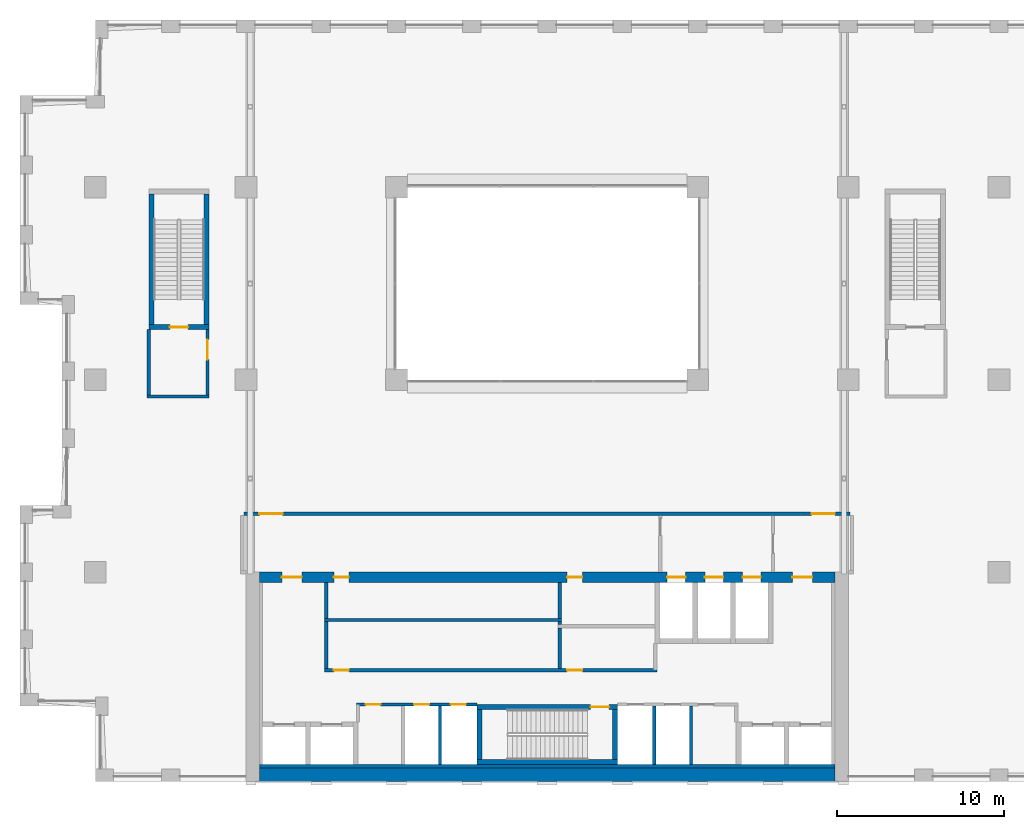
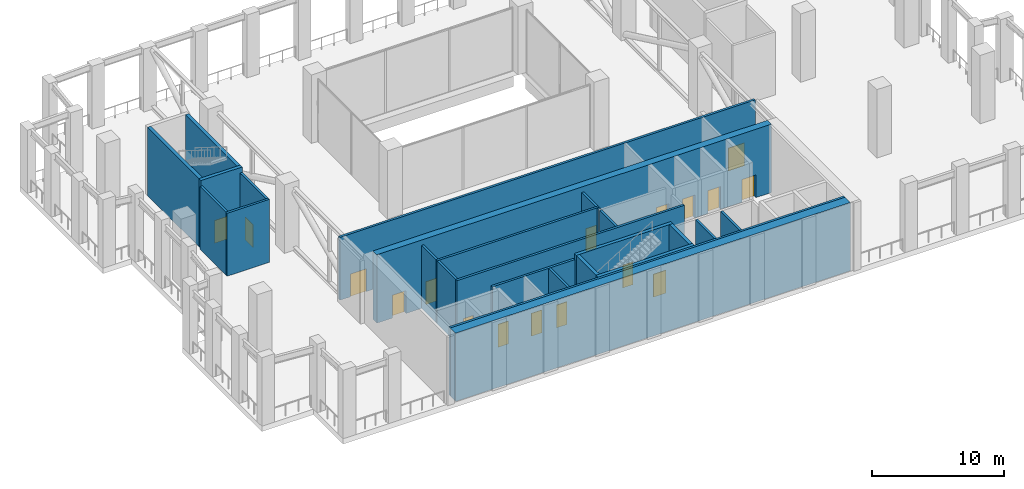
# One storey, part 10 of 14: 25 walls, 17 doors, 17 openings.
"""IFC4 building model written with IfcOpenShell, lengths in metres."""

from ifc_helpers import new_model, si_unit, direction, frame, frame_2d, origin, place, context, subcontext, project, spatial, rectangle, extrude, material, layer, layer_set, type_object, element, fill, save


model = new_model("IFC4")

# Units and contexts
model_context = context("Model", 3, precision=1e-05, world=origin(), true_north=direction((0.0, 1.0)))
body_context = subcontext(model_context, "Body", "Model", "MODEL_VIEW")
ifc_project = project(units=[si_unit("LENGTHUNIT", "METRE"), si_unit("AREAUNIT", "SQUARE_METRE"), si_unit("VOLUMEUNIT", "CUBIC_METRE"), si_unit("PLANEANGLEUNIT", "RADIAN"), si_unit("MASSUNIT", "GRAM", prefix="KILO")], contexts=[model_context])

# Site, building, storey
site_placement = place(None, origin())
site = spatial("IfcSite", under=ifc_project, at=site_placement, CompositionType="ELEMENT")
building_placement = place(site_placement, origin())
building = spatial("IfcBuilding", under=site, at=building_placement, Name="Brigalow Station Residences", CompositionType="ELEMENT")
storey_placement = place(building_placement, frame((0.0, 0.0, 130.800048828125)))
storey = spatial("IfcBuildingStorey", under=building, at=storey_placement, Name="L38", CompositionType="ELEMENT", Elevation=130.800048828125)

# Walls
ifc_material_1 = material(Name="Concrete C65", Category="concrete")
ifc_layer_1 = layer(ifc_material_1, 0.199951171875)
ifc_layer_set_1 = layer_set([ifc_layer_1], Name="CORE SHEAR WALL 200 C65")
wall_type_1 = type_object("IfcWallType", Name="CORE SHEAR WALL 200 C65", PredefinedType="SHEAR", material=ifc_layer_set_1)
wall_1_placement = place(storey_placement, frame((18.800048828125, 0.89990234375, 0.0), z_axis=(0.0, 0.0, 1.0), x_axis=(1.0, 0.0, 0.0)))
element("IfcWall", 1, at=wall_1_placement, inside=storey, type_object=wall_type_1, Name="CORE WALL LIN-S L38", PredefinedType="SHEAR", context=body_context, shape_type="SweptSolid", body=[
    extrude(rectangle(XDim=34.39990234375, YDim=0.199951171875, at=frame_2d((17.199951171875, 0.0))), origin(), (0.0, 0.0, 1.0), 6.300048828125),
])
ifc_material_2 = material(Name="Concrete C65", Category="concrete")
ifc_layer_2 = layer(ifc_material_2, 0.300048828125)
ifc_layer_set_2 = layer_set([ifc_layer_2], Name="CORE SHEAR WALL 300 C65")
wall_type_2 = type_object("IfcWallType", Name="CORE SHEAR WALL 300 C65", PredefinedType="SHEAR", material=ifc_layer_set_2)
wall_2_placement = place(storey_placement, frame((31.800048828125, 1.14990234375, 0.0), z_axis=(0.0, 0.0, 1.0), x_axis=(1.0, 0.0, 0.0)))
element("IfcWall", 2, at=wall_2_placement, inside=storey, type_object=wall_type_2, Name="CORE WALL ST-S2-S L38", PredefinedType="SHEAR", context=body_context, shape_type="SweptSolid", body=[
    extrude(rectangle(XDim=8.39990234375, YDim=0.300048828125, at=frame_2d((4.199951171875, 0.0))), origin(), (0.0, 0.0, 1.0), 6.300048828125),
])

# Wall, opening, door
wall_3_placement = place(storey_placement, frame((31.800048828125, 4.449951171875, 0.0), z_axis=(0.0, 0.0, 1.0), x_axis=(1.0, 0.0, 0.0)))
wall_3 = element("IfcWall", 3, at=wall_3_placement, inside=storey, type_object=wall_type_2, Name="CORE WALL ST-S2-N L38", PredefinedType="SHEAR", context=body_context, shape_type="SweptSolid", body=[
    extrude(rectangle(XDim=8.39990234375, YDim=0.300048828125, at=frame_2d((4.199951171875, 0.0))), origin(), (0.0, 0.0, 1.0), 6.300048828125),
])
opening_1_placement = place(wall_3_placement, frame((6.800048828125, 0.0, 0.0)))
opening_1 = element("IfcOpeningElement", 4, at=opening_1_placement, cuts=wall_3, Name="Opening D-5001", PredefinedType="OPENING", context=body_context, shape_type="SweptSolid", body=[
    extrude(rectangle(XDim=1.10009765625, YDim=2.10009765625, at=frame_2d((0.550048828125, 1.050048828125))), frame((0.0, 0.16015625, 0.0), z_axis=(0.0, -1.0, 0.0), x_axis=(1.0, 0.0, 0.0)), (0.0, 0.0, 1.0), 0.320068359375),
])
ifc_material_3 = material(Name="Steel fire door leaf in steel frame", Category="steel")
door_type_1 = type_object("IfcDoorType", Name="STAIR DOOR 1100 x 2100 FD60S", OperationType="SINGLE_SWING_LEFT", PredefinedType="DOOR", material=ifc_material_3)
door_1_placement = place(opening_1_placement, frame((1.10009765625, 0.0, 0.0), z_axis=(0.0, 0.0, 1.0), x_axis=(-1.0, 0.0, 0.0)))
door_1 = element("IfcDoor", 5, at=door_1_placement, inside=storey, type_object=door_type_1, Name="D-5001", OperationType="SINGLE_SWING_LEFT", OverallHeight=2.10009765625, OverallWidth=1.10009765625, PredefinedType="DOOR", context=body_context, shape_type="SweptSolid", body=[
    extrude(rectangle(XDim=1.10009765625, YDim=2.10009765625, at=frame_2d((0.550048828125, 1.050048828125))), frame((0.0, 0.02490234375, 0.0), z_axis=(0.0, -1.0, 0.0), x_axis=(1.0, 0.0, 0.0)), (0.0, 0.0, 1.0), 0.050048828125),
])
fill(opening_1, door_1)

# Walls
for number, where, z_axis, x_axis, name in (
    (6, (31.949951171875, 1.300048828125, 0.0), (0.0, 0.0, 1.0), (0.0, 1.0, 0.0), "CORE WALL ST-S2-W L38"),
    (7, (40.050048828125, 1.300048828125, 0.0), (0.0, 0.0, 1.0), (0.0, 1.0, 0.0), "CORE WALL ST-S2-E L38"),
):
    element("IfcWall", number, at=place(storey_placement, frame(where, z_axis=z_axis, x_axis=x_axis)), inside=storey, type_object=wall_type_2, Name=name, PredefinedType="SHEAR", context=body_context, shape_type="SweptSolid", body=[
        extrude(rectangle(XDim=3.0, YDim=0.300048828125, at=frame_2d((1.5, 0.0))), origin(), (0.0, 0.0, 1.0), 6.300048828125),
    ])

# Wall, opening, door
wall_4_placement = place(storey_placement, frame((12.199951171875, 27.14990234375, 0.0), z_axis=(0.0, 0.0, 1.0), x_axis=(1.0, 0.0, 0.0)))
wall_4 = element("IfcWall", 8, at=wall_4_placement, inside=storey, type_object=wall_type_2, Name="CORE WALL ST-S1-S L38", PredefinedType="SHEAR", context=body_context, shape_type="SweptSolid", body=[
    extrude(rectangle(XDim=3.60009765625, YDim=0.300048828125, at=frame_2d((1.800048828125, 0.0))), origin(), (0.0, 0.0, 1.0), 6.300048828125),
])
opening_2_placement = place(wall_4_placement, frame((1.25, 0.0, 0.0)))
opening_2 = element("IfcOpeningElement", 9, at=opening_2_placement, cuts=wall_4, Name="Opening D-5015", PredefinedType="OPENING", context=body_context, shape_type="SweptSolid", body=[
    extrude(rectangle(XDim=1.10009765625, YDim=2.10009765625, at=frame_2d((0.550048828125, 1.050048828125))), frame((0.0, 0.16015625, 0.0), z_axis=(0.0, -1.0, 0.0), x_axis=(1.0, 0.0, 0.0)), (0.0, 0.0, 1.0), 0.320068359375),
])
door_2_placement = place(opening_2_placement, origin())
door_2 = element("IfcDoor", 10, at=door_2_placement, inside=storey, type_object=door_type_1, Name="D-5015", OperationType="SINGLE_SWING_LEFT", OverallHeight=2.10009765625, OverallWidth=1.10009765625, PredefinedType="DOOR", context=body_context, shape_type="SweptSolid", body=[
    extrude(rectangle(XDim=1.10009765625, YDim=2.10009765625, at=frame_2d((0.550048828125, 1.050048828125))), frame((0.0, 0.02490234375, 0.0), z_axis=(0.0, -1.0, 0.0), x_axis=(1.0, 0.0, 0.0)), (0.0, 0.0, 1.0), 0.050048828125),
])
fill(opening_2, door_2)

# Walls
for number, where, z_axis, x_axis, name in (
    (11, (12.35009765625, 27.300048828125, 0.0), (0.0, 0.0, 1.0), (0.0, 1.0, 0.0), "CORE WALL ST-S1-W L38"),
    (12, (15.64990234375, 27.300048828125, 0.0), (0.0, 0.0, 1.0), (0.0, 1.0, 0.0), "CORE WALL ST-S1-E L38"),
):
    element("IfcWall", number, at=place(storey_placement, frame(where, z_axis=z_axis, x_axis=x_axis)), inside=storey, type_object=wall_type_2, Name=name, PredefinedType="SHEAR", context=body_context, shape_type="SweptSolid", body=[
        extrude(rectangle(XDim=7.800048828125, YDim=0.300048828125, at=frame_2d((3.89990234375, 0.0))), origin(), (0.0, 0.0, 1.0), 6.300048828125),
    ])

# Wall, openings, doors
ifc_material_4 = material(Name="Concrete C65", Category="concrete")
ifc_layer_3 = layer(ifc_material_4, 0.60009765625)
ifc_layer_set_3 = layer_set([ifc_layer_3], Name="CORE SHEAR WALL 600 C65")
wall_type_3 = type_object("IfcWallType", Name="CORE SHEAR WALL 600 C65", PredefinedType="SHEAR", material=ifc_layer_set_3)
wall_5_placement = place(storey_placement, frame((18.800048828125, 12.199951171875, 0.0), z_axis=(0.0, 0.0, 1.0), x_axis=(1.0, 0.0, 0.0)))
wall_5 = element("IfcWall", 13, at=wall_5_placement, inside=storey, type_object=wall_type_3, Name="CORE WALL OUT-N L38", PredefinedType="SHEAR", context=body_context, shape_type="SweptSolid", body=[
    extrude(rectangle(XDim=34.39990234375, YDim=0.60009765625, at=frame_2d((17.199951171875, 0.0))), origin(), (0.0, 0.0, 1.0), 6.300048828125),
])
opening_3_placement = place(wall_5_placement, frame((24.375, 0.0, 0.0)))
opening_3 = element("IfcOpeningElement", 14, at=opening_3_placement, cuts=wall_5, Name="Opening LD-LF1", PredefinedType="OPENING", context=body_context, shape_type="SweptSolid", body=[
    extrude(rectangle(XDim=1.10009765625, YDim=2.10009765625, at=frame_2d((0.550048828125, 1.050048828125))), frame((0.0, 0.31005859375, 0.0), z_axis=(0.0, -1.0, 0.0), x_axis=(1.0, 0.0, 0.0)), (0.0, 0.0, 1.0), 0.6201171875),
])
opening_4_placement = place(wall_5_placement, frame((26.625, 0.0, 0.0)))
opening_4 = element("IfcOpeningElement", 15, at=opening_4_placement, cuts=wall_5, Name="Opening LD-LF2", PredefinedType="OPENING", context=body_context, shape_type="SweptSolid", body=[
    extrude(rectangle(XDim=1.10009765625, YDim=2.10009765625, at=frame_2d((0.550048828125, 1.050048828125))), frame((0.0, 0.31005859375, 0.0), z_axis=(0.0, -1.0, 0.0), x_axis=(1.0, 0.0, 0.0)), (0.0, 0.0, 1.0), 0.6201171875),
])
opening_5_placement = place(wall_5_placement, frame((28.875, 0.0, 0.0)))
opening_5 = element("IfcOpeningElement", 16, at=opening_5_placement, cuts=wall_5, Name="Opening LD-LG1", PredefinedType="OPENING", context=body_context, shape_type="SweptSolid", body=[
    extrude(rectangle(XDim=1.10009765625, YDim=2.10009765625, at=frame_2d((0.550048828125, 1.050048828125))), frame((0.0, 0.31005859375, 0.0), z_axis=(0.0, -1.0, 0.0), x_axis=(1.0, 0.0, 0.0)), (0.0, 0.0, 1.0), 0.6201171875),
])
opening_6_placement = place(wall_5_placement, frame((18.39990234375, 0.0, 0.0)))
opening_6 = element("IfcOpeningElement", 17, at=opening_6_placement, cuts=wall_5, Name="Opening D-5126", PredefinedType="OPENING", context=body_context, shape_type="SweptSolid", body=[
    extrude(rectangle(XDim=0.89990234375, YDim=2.10009765625, at=frame_2d((0.449951171875, 1.050048828125))), frame((0.0, 0.31005859375, 0.0), z_axis=(0.0, -1.0, 0.0), x_axis=(1.0, 0.0, 0.0)), (0.0, 0.0, 1.0), 0.6201171875),
])
opening_7_placement = place(wall_5_placement, frame((4.449951171875, 0.0, 0.0)))
opening_7 = element("IfcOpeningElement", 18, at=opening_7_placement, cuts=wall_5, Name="Opening D-5127", PredefinedType="OPENING", context=body_context, shape_type="SweptSolid", body=[
    extrude(rectangle(XDim=0.89990234375, YDim=2.10009765625, at=frame_2d((0.449951171875, 1.050048828125))), frame((0.0, 0.31005859375, 0.0), z_axis=(0.0, -1.0, 0.0), x_axis=(1.0, 0.0, 0.0)), (0.0, 0.0, 1.0), 0.6201171875),
])
opening_8_placement = place(wall_5_placement, frame((1.35009765625, 0.0, 0.0)))
opening_8 = element("IfcOpeningElement", 19, at=opening_8_placement, cuts=wall_5, Name="Opening D-5011", PredefinedType="OPENING", context=body_context, shape_type="SweptSolid", body=[
    extrude(rectangle(XDim=1.199951171875, YDim=2.10009765625, at=frame_2d((0.60009765625, 1.050048828125))), frame((0.0, 0.31005859375, 0.0), z_axis=(0.0, -1.0, 0.0), x_axis=(1.0, 0.0, 0.0)), (0.0, 0.0, 1.0), 0.6201171875),
])
opening_9_placement = place(wall_5_placement, frame((31.85009765625, 0.0, 0.0)))
opening_9 = element("IfcOpeningElement", 20, at=opening_9_placement, cuts=wall_5, Name="Opening D-5012", PredefinedType="OPENING", context=body_context, shape_type="SweptSolid", body=[
    extrude(rectangle(XDim=1.199951171875, YDim=2.10009765625, at=frame_2d((0.60009765625, 1.050048828125))), frame((0.0, 0.31005859375, 0.0), z_axis=(0.0, -1.0, 0.0), x_axis=(1.0, 0.0, 0.0)), (0.0, 0.0, 1.0), 0.6201171875),
])
ifc_material_5 = material(Name="Steel fire door leaf in steel frame", Category="steel")
door_type_2 = type_object("IfcDoorType", Name="CORE CORRIDOR DOOR 1200 x 2100 FD60S", OperationType="SINGLE_SWING_LEFT", PredefinedType="DOOR", material=ifc_material_5)
door_3_placement = place(opening_8_placement, frame((1.199951171875, 0.0, 0.0), z_axis=(0.0, 0.0, 1.0), x_axis=(-1.0, 0.0, 0.0)))
door_3 = element("IfcDoor", 21, at=door_3_placement, inside=storey, type_object=door_type_2, Name="D-5011", OperationType="SINGLE_SWING_LEFT", OverallHeight=2.10009765625, OverallWidth=1.199951171875, PredefinedType="DOOR", context=body_context, shape_type="SweptSolid", body=[
    extrude(rectangle(XDim=1.199951171875, YDim=2.10009765625, at=frame_2d((0.60009765625, 1.050048828125))), frame((0.0, 0.02490234375, 0.0), z_axis=(0.0, -1.0, 0.0), x_axis=(1.0, 0.0, 0.0)), (0.0, 0.0, 1.0), 0.050048828125),
])
fill(opening_8, door_3)
door_4_placement = place(opening_9_placement, frame((1.199951171875, 0.0, 0.0), z_axis=(0.0, 0.0, 1.0), x_axis=(-1.0, 0.0, 0.0)))
door_4 = element("IfcDoor", 22, at=door_4_placement, inside=storey, type_object=door_type_2, Name="D-5012", OperationType="SINGLE_SWING_LEFT", OverallHeight=2.10009765625, OverallWidth=1.199951171875, PredefinedType="DOOR", context=body_context, shape_type="SweptSolid", body=[
    extrude(rectangle(XDim=1.199951171875, YDim=2.10009765625, at=frame_2d((0.60009765625, 1.050048828125))), frame((0.0, 0.02490234375, 0.0), z_axis=(0.0, -1.0, 0.0), x_axis=(1.0, 0.0, 0.0)), (0.0, 0.0, 1.0), 0.050048828125),
])
fill(opening_9, door_4)
ifc_material_6 = material(Name="Stainless steel sliding door leaves", Category="steel")
door_type_3 = type_object("IfcDoorType", Name="LIFT LANDING DOOR 1100 x 2100", OperationType="DOUBLE_DOOR_SLIDING", PredefinedType="DOOR", material=ifc_material_6)
door_5_placement = place(opening_3_placement, origin())
door_5 = element("IfcDoor", 23, at=door_5_placement, inside=storey, type_object=door_type_3, Name="LANDING DOOR LF1", OperationType="DOUBLE_DOOR_SLIDING", OverallHeight=2.10009765625, OverallWidth=1.10009765625, PredefinedType="DOOR", context=body_context, shape_type="SweptSolid", body=[
    extrude(rectangle(XDim=1.10009765625, YDim=2.10009765625, at=frame_2d((0.550048828125, 1.050048828125))), frame((0.0, 0.02490234375, 0.0), z_axis=(0.0, -1.0, 0.0), x_axis=(1.0, 0.0, 0.0)), (0.0, 0.0, 1.0), 0.050048828125),
])
fill(opening_3, door_5)
door_6_placement = place(opening_4_placement, origin())
door_6 = element("IfcDoor", 24, at=door_6_placement, inside=storey, type_object=door_type_3, Name="LANDING DOOR LF2", OperationType="DOUBLE_DOOR_SLIDING", OverallHeight=2.10009765625, OverallWidth=1.10009765625, PredefinedType="DOOR", context=body_context, shape_type="SweptSolid", body=[
    extrude(rectangle(XDim=1.10009765625, YDim=2.10009765625, at=frame_2d((0.550048828125, 1.050048828125))), frame((0.0, 0.02490234375, 0.0), z_axis=(0.0, -1.0, 0.0), x_axis=(1.0, 0.0, 0.0)), (0.0, 0.0, 1.0), 0.050048828125),
])
fill(opening_4, door_6)
door_7_placement = place(opening_5_placement, origin())
door_7 = element("IfcDoor", 25, at=door_7_placement, inside=storey, type_object=door_type_3, Name="LANDING DOOR LG1", OperationType="DOUBLE_DOOR_SLIDING", OverallHeight=2.10009765625, OverallWidth=1.10009765625, PredefinedType="DOOR", context=body_context, shape_type="SweptSolid", body=[
    extrude(rectangle(XDim=1.10009765625, YDim=2.10009765625, at=frame_2d((0.550048828125, 1.050048828125))), frame((0.0, 0.02490234375, 0.0), z_axis=(0.0, -1.0, 0.0), x_axis=(1.0, 0.0, 0.0)), (0.0, 0.0, 1.0), 0.050048828125),
])
fill(opening_5, door_7)
ifc_material_7 = material(Name="Steel door leaf in steel frame", Category="steel")
door_type_4 = type_object("IfcDoorType", Name="SERVICE ROOM DOOR 900 x 2100 FD60", OperationType="SINGLE_SWING_LEFT", PredefinedType="DOOR", material=ifc_material_7)
door_8_placement = place(opening_6_placement, frame((0.89990234375, 0.0, 0.0), z_axis=(0.0, 0.0, 1.0), x_axis=(-1.0, 0.0, 0.0)))
door_8 = element("IfcDoor", 26, at=door_8_placement, inside=storey, type_object=door_type_4, Name="D-5126", OperationType="SINGLE_SWING_RIGHT", OverallHeight=2.10009765625, OverallWidth=0.89990234375, PredefinedType="DOOR", context=body_context, shape_type="SweptSolid", body=[
    extrude(rectangle(XDim=0.89990234375, YDim=2.10009765625, at=frame_2d((0.449951171875, 1.050048828125))), frame((0.0, 0.02490234375, 0.0), z_axis=(0.0, -1.0, 0.0), x_axis=(1.0, 0.0, 0.0)), (0.0, 0.0, 1.0), 0.050048828125),
])
fill(opening_6, door_8)
door_9_placement = place(opening_7_placement, frame((0.89990234375, 0.0, 0.0), z_axis=(0.0, 0.0, 1.0), x_axis=(-1.0, 0.0, 0.0)))
door_9 = element("IfcDoor", 27, at=door_9_placement, inside=storey, type_object=door_type_4, Name="D-5127", OperationType="SINGLE_SWING_RIGHT", OverallHeight=2.10009765625, OverallWidth=0.89990234375, PredefinedType="DOOR", context=body_context, shape_type="SweptSolid", body=[
    extrude(rectangle(XDim=0.89990234375, YDim=2.10009765625, at=frame_2d((0.449951171875, 1.050048828125))), frame((0.0, 0.02490234375, 0.0), z_axis=(0.0, -1.0, 0.0), x_axis=(1.0, 0.0, 0.0)), (0.0, 0.0, 1.0), 0.050048828125),
])
fill(opening_7, door_9)

# Wall
ifc_material_8 = material(Name="Concrete C65", Category="concrete")
ifc_layer_4 = layer(ifc_material_8, 0.800048828125)
ifc_layer_set_4 = layer_set([ifc_layer_4], Name="CORE SHEAR WALL 800 C65")
wall_type_4 = type_object("IfcWallType", Name="CORE SHEAR WALL 800 C65", PredefinedType="SHEAR", material=ifc_layer_set_4)
wall_6_placement = place(storey_placement, frame((18.800048828125, 0.39990234375, 0.0), z_axis=(0.0, 0.0, 1.0), x_axis=(1.0, 0.0, 0.0)))
element("IfcWall", 28, at=wall_6_placement, inside=storey, type_object=wall_type_4, Name="CORE WALL OUT-S L38", PredefinedType="SHEAR", context=body_context, shape_type="SweptSolid", body=[
    extrude(rectangle(XDim=34.39990234375, YDim=0.800048828125, at=frame_2d((17.199951171875, 0.0))), origin(), (0.0, 0.0, 1.0), 6.300048828125),
])

# Wall, openings, doors
ifc_material_9 = material(Name="Concrete blockwork", Category="masonry")
ifc_layer_5 = layer(ifc_material_9, 0.199951171875)
ifc_layer_set_5 = layer_set([ifc_layer_5], Name="FIRE RATED CORE PARTITION 200")
wall_type_5 = type_object("IfcWallType", Name="FIRE RATED CORE PARTITION 200", PredefinedType="PARTITIONING", material=ifc_layer_set_5)
wall_7_placement = place(storey_placement, frame((24.60009765625, 4.60009765625, 0.0), z_axis=(0.0, 0.0, 1.0), x_axis=(1.0, 0.0, 0.0)))
wall_7 = element("IfcWall", 29, at=wall_7_placement, inside=storey, type_object=wall_type_5, Name="PW-5243", PredefinedType="PARTITIONING", context=body_context, shape_type="SweptSolid", body=[
    extrude(rectangle(XDim=7.199951171875, YDim=0.199951171875, at=frame_2d((3.60009765625, 0.0))), origin(), (0.0, 0.0, 1.0), 5.800048828125),
])
opening_10_placement = place(wall_7_placement, frame((0.550048828125, 0.0, 0.0)))
opening_10 = element("IfcOpeningElement", 30, at=opening_10_placement, cuts=wall_7, Name="Opening D-5124", PredefinedType="OPENING", context=body_context, shape_type="SweptSolid", body=[
    extrude(rectangle(XDim=0.89990234375, YDim=2.10009765625, at=frame_2d((0.449951171875, 1.050048828125))), frame((0.0, 0.10986328125, 0.0), z_axis=(0.0, -1.0, 0.0), x_axis=(1.0, 0.0, 0.0)), (0.0, 0.0, 1.0), 0.219970703125),
])
opening_11_placement = place(wall_7_placement, frame((3.449951171875, 0.0, 0.0)))
opening_11 = element("IfcOpeningElement", 31, at=opening_11_placement, cuts=wall_7, Name="Opening D-5007", PredefinedType="OPENING", context=body_context, shape_type="SweptSolid", body=[
    extrude(rectangle(XDim=0.89990234375, YDim=2.10009765625, at=frame_2d((0.449951171875, 1.050048828125))), frame((0.0, 0.10986328125, 0.0), z_axis=(0.0, -1.0, 0.0), x_axis=(1.0, 0.0, 0.0)), (0.0, 0.0, 1.0), 0.219970703125),
])
opening_12_placement = place(wall_7_placement, frame((5.64990234375, 0.0, 0.0)))
opening_12 = element("IfcOpeningElement", 32, at=opening_12_placement, cuts=wall_7, Name="Opening D-5008", PredefinedType="OPENING", context=body_context, shape_type="SweptSolid", body=[
    extrude(rectangle(XDim=0.89990234375, YDim=2.10009765625, at=frame_2d((0.449951171875, 1.050048828125))), frame((0.0, 0.10986328125, 0.0), z_axis=(0.0, -1.0, 0.0), x_axis=(1.0, 0.0, 0.0)), (0.0, 0.0, 1.0), 0.219970703125),
])
ifc_material_10 = material(Name="Steel fire door leaf in steel frame", Category="steel")
door_type_5 = type_object("IfcDoorType", Name="PLANT ROOM DOOR 900 x 2100 FD60", OperationType="SINGLE_SWING_LEFT", PredefinedType="DOOR", material=ifc_material_10)
door_10_placement = place(opening_10_placement, frame((0.89990234375, 0.0, 0.0), z_axis=(0.0, 0.0, 1.0), x_axis=(-1.0, 0.0, 0.0)))
door_10 = element("IfcDoor", 33, at=door_10_placement, inside=storey, type_object=door_type_5, Name="D-5124", OperationType="SINGLE_SWING_RIGHT", OverallHeight=2.10009765625, OverallWidth=0.89990234375, PredefinedType="DOOR", context=body_context, shape_type="SweptSolid", body=[
    extrude(rectangle(XDim=0.89990234375, YDim=2.10009765625, at=frame_2d((0.449951171875, 1.050048828125))), frame((0.0, 0.02490234375, 0.0), z_axis=(0.0, -1.0, 0.0), x_axis=(1.0, 0.0, 0.0)), (0.0, 0.0, 1.0), 0.050048828125),
])
fill(opening_10, door_10)
ifc_material_11 = material(Name="Steel fire door leaf in steel frame", Category="steel")
door_type_6 = type_object("IfcDoorType", Name="RISER ACCESS DOOR 900 x 2100 FD120", OperationType="SINGLE_SWING_LEFT", PredefinedType="DOOR", material=ifc_material_11)
door_11_placement = place(opening_11_placement, frame((0.89990234375, 0.0, 0.0), z_axis=(0.0, 0.0, 1.0), x_axis=(-1.0, 0.0, 0.0)))
door_11 = element("IfcDoor", 34, at=door_11_placement, inside=storey, type_object=door_type_6, Name="D-5007", OperationType="SINGLE_SWING_RIGHT", OverallHeight=2.10009765625, OverallWidth=0.89990234375, PredefinedType="DOOR", context=body_context, shape_type="SweptSolid", body=[
    extrude(rectangle(XDim=0.89990234375, YDim=2.10009765625, at=frame_2d((0.449951171875, 1.050048828125))), frame((0.0, 0.02490234375, 0.0), z_axis=(0.0, -1.0, 0.0), x_axis=(1.0, 0.0, 0.0)), (0.0, 0.0, 1.0), 0.050048828125),
])
fill(opening_11, door_11)
door_12_placement = place(opening_12_placement, frame((0.89990234375, 0.0, 0.0), z_axis=(0.0, 0.0, 1.0), x_axis=(-1.0, 0.0, 0.0)))
door_12 = element("IfcDoor", 35, at=door_12_placement, inside=storey, type_object=door_type_6, Name="D-5008", OperationType="SINGLE_SWING_RIGHT", OverallHeight=2.10009765625, OverallWidth=0.89990234375, PredefinedType="DOOR", context=body_context, shape_type="SweptSolid", body=[
    extrude(rectangle(XDim=0.89990234375, YDim=2.10009765625, at=frame_2d((0.449951171875, 1.050048828125))), frame((0.0, 0.02490234375, 0.0), z_axis=(0.0, -1.0, 0.0), x_axis=(1.0, 0.0, 0.0)), (0.0, 0.0, 1.0), 0.050048828125),
])
fill(opening_12, door_12)

wall_8_placement = place(storey_placement, frame((22.699951171875, 6.64990234375, 0.0), z_axis=(0.0, 0.0, 1.0), x_axis=(1.0, 0.0, 0.0)))
wall_8 = element("IfcWall", 36, at=wall_8_placement, inside=storey, type_object=wall_type_5, Name="PW-5245", PredefinedType="PARTITIONING", context=body_context, shape_type="SweptSolid", body=[
    extrude(rectangle(XDim=19.85009765625, YDim=0.199951171875, at=frame_2d((9.925048828125, 0.0))), origin(), (0.0, 0.0, 1.0), 5.800048828125),
])
opening_13_placement = place(wall_8_placement, frame((14.5, 0.0, 0.0)))
opening_13 = element("IfcOpeningElement", 37, at=opening_13_placement, cuts=wall_8, Name="Opening D-5125", PredefinedType="OPENING", context=body_context, shape_type="SweptSolid", body=[
    extrude(rectangle(XDim=0.89990234375, YDim=2.10009765625, at=frame_2d((0.449951171875, 1.050048828125))), frame((0.0, 0.10986328125, 0.0), z_axis=(0.0, -1.0, 0.0), x_axis=(1.0, 0.0, 0.0)), (0.0, 0.0, 1.0), 0.219970703125),
])
opening_14_placement = place(wall_8_placement, frame((0.550048828125, 0.0, 0.0)))
opening_14 = element("IfcOpeningElement", 38, at=opening_14_placement, cuts=wall_8, Name="Opening D-5128", PredefinedType="OPENING", context=body_context, shape_type="SweptSolid", body=[
    extrude(rectangle(XDim=0.89990234375, YDim=2.10009765625, at=frame_2d((0.449951171875, 1.050048828125))), frame((0.0, 0.10986328125, 0.0), z_axis=(0.0, -1.0, 0.0), x_axis=(1.0, 0.0, 0.0)), (0.0, 0.0, 1.0), 0.219970703125),
])
door_13_placement = place(opening_13_placement, origin())
door_13 = element("IfcDoor", 39, at=door_13_placement, inside=storey, type_object=door_type_5, Name="D-5125", OperationType="SINGLE_SWING_LEFT", OverallHeight=2.10009765625, OverallWidth=0.89990234375, PredefinedType="DOOR", context=body_context, shape_type="SweptSolid", body=[
    extrude(rectangle(XDim=0.89990234375, YDim=2.10009765625, at=frame_2d((0.449951171875, 1.050048828125))), frame((0.0, 0.02490234375, 0.0), z_axis=(0.0, -1.0, 0.0), x_axis=(1.0, 0.0, 0.0)), (0.0, 0.0, 1.0), 0.050048828125),
])
fill(opening_13, door_13)
door_14_placement = place(opening_14_placement, origin())
door_14 = element("IfcDoor", 40, at=door_14_placement, inside=storey, type_object=door_type_5, Name="D-5128", OperationType="SINGLE_SWING_LEFT", OverallHeight=2.10009765625, OverallWidth=0.89990234375, PredefinedType="DOOR", context=body_context, shape_type="SweptSolid", body=[
    extrude(rectangle(XDim=0.89990234375, YDim=2.10009765625, at=frame_2d((0.449951171875, 1.050048828125))), frame((0.0, 0.02490234375, 0.0), z_axis=(0.0, -1.0, 0.0), x_axis=(1.0, 0.0, 0.0)), (0.0, 0.0, 1.0), 0.050048828125),
])
fill(opening_14, door_14)

# Walls
wall_9_placement = place(storey_placement, frame((22.699951171875, 9.64990234375, 0.0), z_axis=(0.0, 0.0, 1.0), x_axis=(1.0, 0.0, 0.0)))
element("IfcWall", 41, at=wall_9_placement, inside=storey, type_object=wall_type_5, Name="PW-5247", PredefinedType="PARTITIONING", context=body_context, shape_type="SweptSolid", body=[
    extrude(rectangle(XDim=14.150146484375, YDim=0.199951171875, at=frame_2d((7.0751953125, 0.0))), origin(), (0.0, 0.0, 1.0), 5.800048828125),
])
wall_10_placement = place(storey_placement, frame((12.10009765625, 23.0, 0.0), z_axis=(0.0, 0.0, 1.0), x_axis=(1.0, 0.0, 0.0)))
element("IfcWall", 42, at=wall_10_placement, inside=storey, type_object=wall_type_5, Name="PW-5350", PredefinedType="PARTITIONING", context=body_context, shape_type="SweptSolid", body=[
    extrude(rectangle(XDim=3.699951171875, YDim=0.199951171875, at=frame_2d((1.85009765625, 0.0))), origin(), (0.0, 0.0, 1.0), 5.800048828125),
])
for number, where, z_axis, x_axis, name in (
    (43, (29.60009765625, 1.0, 0.0), (0.0, 0.0, 1.0), (0.0, 1.0, 0.0), "PW-5006"),
    (44, (42.39990234375, 1.0, 0.0), (0.0, 0.0, 1.0), (0.0, 1.0, 0.0), "PW-5007"),
    (45, (44.60009765625, 1.0, 0.0), (0.0, 0.0, 1.0), (0.0, 1.0, 0.0), "PW-5008"),
):
    element("IfcWall", number, at=place(storey_placement, frame(where, z_axis=z_axis, x_axis=x_axis)), inside=storey, type_object=wall_type_5, Name=name, PredefinedType="PARTITIONING", context=body_context, shape_type="SweptSolid", body=[
        extrude(rectangle(XDim=3.5, YDim=0.199951171875, at=frame_2d((1.75, 0.0))), origin(), (0.0, 0.0, 1.0), 5.800048828125),
    ])
wall_11_placement = place(storey_placement, frame((22.800048828125, 6.75, 0.0), z_axis=(0.0, 0.0, 1.0), x_axis=(0.0, 1.0, 0.0)))
element("IfcWall", 46, at=wall_11_placement, inside=storey, type_object=wall_type_5, Name="PW-5252", PredefinedType="PARTITIONING", context=body_context, shape_type="SweptSolid", body=[
    extrude(rectangle(XDim=2.800048828125, YDim=0.199951171875, at=frame_2d((1.39990234375, 0.0))), origin(), (0.0, 0.0, 1.0), 5.800048828125),
])
wall_12_placement = place(storey_placement, frame((36.75, 6.75, 0.0), z_axis=(0.0, 0.0, 1.0), x_axis=(0.0, 1.0, 0.0)))
element("IfcWall", 47, at=wall_12_placement, inside=storey, type_object=wall_type_5, Name="PW-5253", PredefinedType="PARTITIONING", context=body_context, shape_type="SweptSolid", body=[
    extrude(rectangle(XDim=2.425048828125, YDim=0.199951171875, at=frame_2d((1.21240234375, 0.0))), origin(), (0.0, 0.0, 1.0), 5.800048828125),
])
wall_13_placement = place(storey_placement, frame((36.75, 9.375, 0.0), z_axis=(0.0, 0.0, 1.0), x_axis=(0.0, 1.0, 0.0)))
element("IfcWall", 48, at=wall_13_placement, inside=storey, type_object=wall_type_5, Name="PW-5254", PredefinedType="PARTITIONING", context=body_context, shape_type="SweptSolid", body=[
    extrude(rectangle(XDim=0.175048828125, YDim=0.199951171875, at=frame_2d((0.08740234375, 0.0))), origin(), (0.0, 0.0, 1.0), 5.800048828125),
])
for number, where, z_axis, x_axis, name in (
    (49, (22.800048828125, 9.75, 0.0), (0.0, 0.0, 1.0), (0.0, 1.0, 0.0), "PW-5255"),
    (50, (36.75, 9.75, 0.0), (0.0, 0.0, 1.0), (0.0, 1.0, 0.0), "PW-5256"),
):
    element("IfcWall", number, at=place(storey_placement, frame(where, z_axis=z_axis, x_axis=x_axis)), inside=storey, type_object=wall_type_5, Name=name, PredefinedType="PARTITIONING", context=body_context, shape_type="SweptSolid", body=[
        extrude(rectangle(XDim=2.14990234375, YDim=0.199951171875, at=frame_2d((1.074951171875, 0.0))), origin(), (0.0, 0.0, 1.0), 5.800048828125),
    ])
wall_14_placement = place(storey_placement, frame((12.199951171875, 23.10009765625, 0.0), z_axis=(0.0, 0.0, 1.0), x_axis=(0.0, 1.0, 0.0)))
element("IfcWall", 51, at=wall_14_placement, inside=storey, type_object=wall_type_5, Name="PW-5034", PredefinedType="PARTITIONING", context=body_context, shape_type="SweptSolid", body=[
    extrude(rectangle(XDim=3.89990234375, YDim=0.199951171875, at=frame_2d((1.949951171875, 0.0))), origin(), (0.0, 0.0, 1.0), 5.800048828125),
])

# Wall, opening, door
wall_15_placement = place(storey_placement, frame((15.699951171875, 23.10009765625, 0.0), z_axis=(0.0, 0.0, 1.0), x_axis=(0.0, 1.0, 0.0)))
wall_15 = element("IfcWall", 52, at=wall_15_placement, inside=storey, type_object=wall_type_5, Name="PW-5353", PredefinedType="PARTITIONING", context=body_context, shape_type="SweptSolid", body=[
    extrude(rectangle(XDim=3.89990234375, YDim=0.199951171875, at=frame_2d((1.949951171875, 0.0))), origin(), (0.0, 0.0, 1.0), 5.800048828125),
])
opening_15_placement = place(wall_15_placement, frame((2.10009765625, 0.0, 0.0)))
opening_15 = element("IfcOpeningElement", 53, at=opening_15_placement, cuts=wall_15, Name="Opening D-5177", PredefinedType="OPENING", context=body_context, shape_type="SweptSolid", body=[
    extrude(rectangle(XDim=1.199951171875, YDim=2.10009765625, at=frame_2d((0.60009765625, 1.050048828125))), frame((0.0, 0.10986328125, 0.0), z_axis=(0.0, -1.0, 0.0), x_axis=(1.0, 0.0, 0.0)), (0.0, 0.0, 1.0), 0.219970703125),
])
ifc_material_12 = material(Name="Steel fire door leaf in steel frame", Category="steel")
door_type_7 = type_object("IfcDoorType", Name="STAIR LOBBY DOOR 1200 x 2100 FD60S", OperationType="SINGLE_SWING_LEFT", PredefinedType="DOOR", material=ifc_material_12)
door_15_placement = place(opening_15_placement, frame((1.199951171875, 0.0, 0.0), z_axis=(0.0, 0.0, 1.0), x_axis=(-1.0, 0.0, 0.0)))
door_15 = element("IfcDoor", 54, at=door_15_placement, inside=storey, type_object=door_type_7, Name="D-5177", OperationType="SINGLE_SWING_RIGHT", OverallHeight=2.10009765625, OverallWidth=1.199951171875, PredefinedType="DOOR", context=body_context, shape_type="SweptSolid", body=[
    extrude(rectangle(XDim=1.199951171875, YDim=2.10009765625, at=frame_2d((0.60009765625, 1.050048828125))), frame((0.0, 0.02490234375, 0.0), z_axis=(0.0, -1.0, 0.0), x_axis=(1.0, 0.0, 0.0)), (0.0, 0.0, 1.0), 0.050048828125),
])
fill(opening_15, door_15)

# Wall, openings, doors
wall_16_placement = place(storey_placement, frame((17.89990234375, 16.0, 0.0), z_axis=(0.0, 0.0, 1.0), x_axis=(1.0, 0.0, 0.0)))
wall_16 = element("IfcWall", 55, at=wall_16_placement, inside=storey, type_object=wall_type_5, Name="PW-5038", PredefinedType="PARTITIONING", context=body_context, shape_type="SweptSolid", body=[
    extrude(rectangle(XDim=36.2001953125, YDim=0.199951171875, at=frame_2d((18.10009765625, 0.0))), origin(), (0.0, 0.0, 1.0), 5.800048828125),
])
opening_16_placement = place(wall_16_placement, frame((0.89990234375, 0.0, 0.0)))
opening_16 = element("IfcOpeningElement", 56, at=opening_16_placement, cuts=wall_16, Name="Opening D-5029", PredefinedType="OPENING", context=body_context, shape_type="SweptSolid", body=[
    extrude(rectangle(XDim=1.39990234375, YDim=2.10009765625, at=frame_2d((0.699951171875, 1.050048828125))), frame((0.0, 0.10986328125, 0.0), z_axis=(0.0, -1.0, 0.0), x_axis=(1.0, 0.0, 0.0)), (0.0, 0.0, 1.0), 0.219970703125),
])
opening_17_placement = place(wall_16_placement, frame((33.89990234375, 0.0, 0.0)))
opening_17 = element("IfcOpeningElement", 57, at=opening_17_placement, cuts=wall_16, Name="Opening D-5030", PredefinedType="OPENING", context=body_context, shape_type="SweptSolid", body=[
    extrude(rectangle(XDim=1.39990234375, YDim=2.10009765625, at=frame_2d((0.699951171875, 1.050048828125))), frame((0.0, 0.10986328125, 0.0), z_axis=(0.0, -1.0, 0.0), x_axis=(1.0, 0.0, 0.0)), (0.0, 0.0, 1.0), 0.219970703125),
])
ifc_material_13 = material(Name="Steel fire door leaves in steel frame", Category="steel")
door_type_8 = type_object("IfcDoorType", Name="CORRIDOR FIRE DOOR 1400 x 2100 FD60S", OperationType="SINGLE_SWING_LEFT", PredefinedType="DOOR", material=ifc_material_13)
door_16_placement = place(opening_16_placement, origin())
door_16 = element("IfcDoor", 58, at=door_16_placement, inside=storey, type_object=door_type_8, Name="D-5029", OperationType="SINGLE_SWING_RIGHT", OverallHeight=2.10009765625, OverallWidth=1.39990234375, PredefinedType="DOOR", context=body_context, shape_type="SweptSolid", body=[
    extrude(rectangle(XDim=1.39990234375, YDim=2.10009765625, at=frame_2d((0.699951171875, 1.050048828125))), frame((0.0, 0.02490234375, 0.0), z_axis=(0.0, -1.0, 0.0), x_axis=(1.0, 0.0, 0.0)), (0.0, 0.0, 1.0), 0.050048828125),
])
fill(opening_16, door_16)
door_17_placement = place(opening_17_placement, origin())
door_17 = element("IfcDoor", 59, at=door_17_placement, inside=storey, type_object=door_type_8, Name="D-5030", OperationType="SINGLE_SWING_LEFT", OverallHeight=2.10009765625, OverallWidth=1.39990234375, PredefinedType="DOOR", context=body_context, shape_type="SweptSolid", body=[
    extrude(rectangle(XDim=1.39990234375, YDim=2.10009765625, at=frame_2d((0.699951171875, 1.050048828125))), frame((0.0, 0.02490234375, 0.0), z_axis=(0.0, -1.0, 0.0), x_axis=(1.0, 0.0, 0.0)), (0.0, 0.0, 1.0), 0.050048828125),
])
fill(opening_17, door_17)

save(model, "model.ifc")
